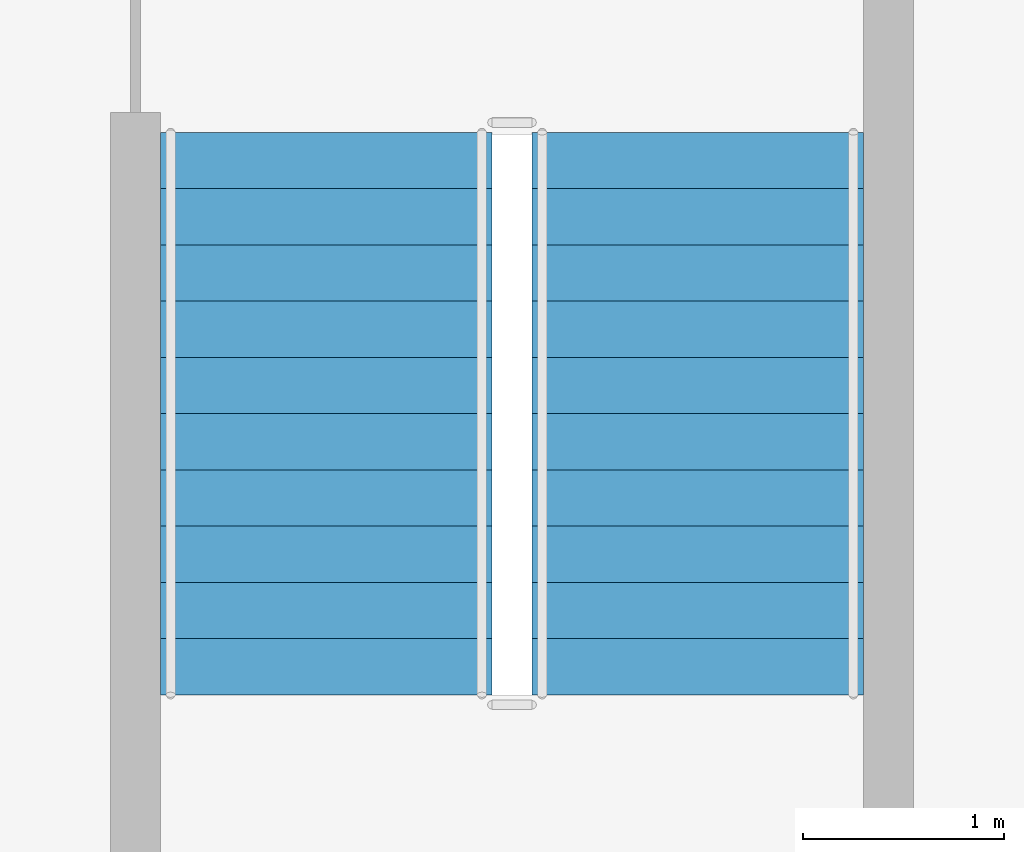
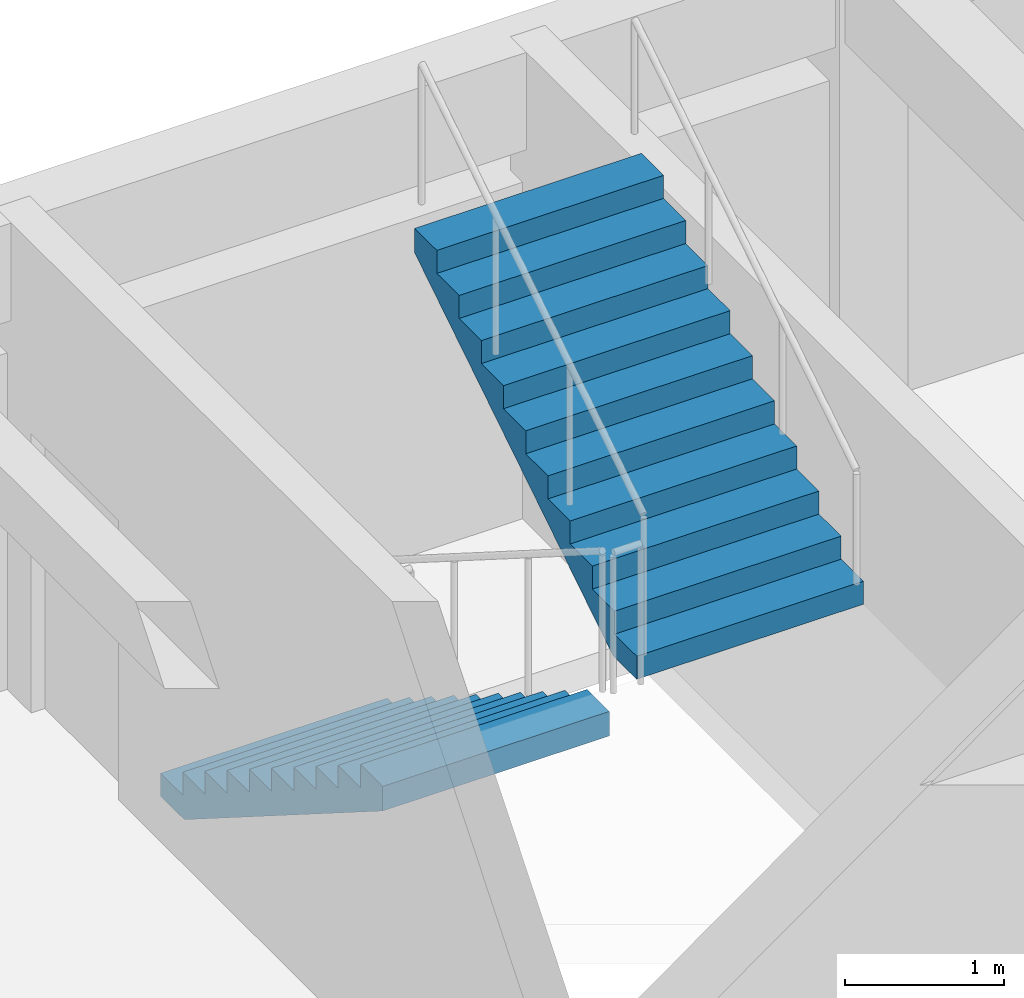
# One storey, part 67 of 82: 2 stair flights, 1 element without a shape of its own.
"""IFC4 building model written with IfcOpenShell, lengths in metres."""

from ifc_helpers import new_model, si_unit, direction, frame, origin, place, context, subcontext, project, spatial, polyline, outline, extrude, material, type_object, element, aggregate, save


model = new_model("IFC4")

# Units and contexts
model_context = context("Model", 3, precision=1e-05, world=origin(), true_north=direction((0.0, 1.0)))
body_context = subcontext(model_context, "Body", "Model", "MODEL_VIEW")
ifc_project = project(units=[si_unit("LENGTHUNIT", "METRE"), si_unit("AREAUNIT", "SQUARE_METRE"), si_unit("VOLUMEUNIT", "CUBIC_METRE"), si_unit("PLANEANGLEUNIT", "RADIAN"), si_unit("MASSUNIT", "GRAM", prefix="KILO")], contexts=[model_context])

# Site, building, storey
site_placement = place(None, origin())
site = spatial("IfcSite", under=ifc_project, at=site_placement, CompositionType="ELEMENT")
building_placement = place(site_placement, origin())
building = spatial("IfcBuilding", under=site, at=building_placement, Name="Qasida Concert Hall", CompositionType="ELEMENT")
storey_placement = place(building_placement, frame((0.0, 0.0, 17.10009765625)))
storey = spatial("IfcBuildingStorey", under=building, at=storey_placement, Name="L04", CompositionType="ELEMENT", Elevation=17.10009765625)

# Stair, stair flights
ifc_material = material(Name="Concrete C40/50", Category="concrete")
stair_type = type_object("IfcStairType", Name="ST-DL-165", PredefinedType="HALF_TURN_STAIR", material=ifc_material)
stair_placement = place(storey_placement, origin())
stair = element("IfcStair", 1, at=stair_placement, inside=storey, type_object=stair_type, Name="L04 Exit stair ST-06", PredefinedType="HALF_TURN_STAIR")
stair_flight_type = type_object("IfcStairFlightType", Name="SF-DL-165", PredefinedType="STRAIGHT", material=ifc_material)
stair_flight_1_placement = place(storey_placement, frame((17.324951171875, 110.85009765625, 0.0), z_axis=(0.0, 0.0, 1.0), x_axis=(0.0, -1.0, 0.0)))
stair_flight_1 = element("IfcStairFlight", 2, at=stair_flight_1_placement, type_object=stair_flight_type, Name="ST-06 flight 1", NumberOfRisers=11, NumberOfTreads=10, PredefinedType="STRAIGHT", RiserHeight=0.177272727, TreadLength=0.28, context=body_context, shape_type="SweptSolid", body=[
    extrude(outline(polyline([(0.0, 0.0), (0.0, 0.17724609375), (0.280029296875, 0.17724609375), (0.280029296875, 0.3544921875), (0.56005859375, 0.3544921875), (0.56005859375, 0.53173828125), (0.840087890625, 0.53173828125), (0.840087890625, 0.708984375), (1.1201171875, 0.708984375), (1.1201171875, 0.886474609375), (1.39990234375, 0.886474609375), (1.39990234375, 1.063720703125), (1.679931640625, 1.063720703125), (1.679931640625, 1.240966796875), (1.9599609375, 1.240966796875), (1.9599609375, 1.418212890625), (2.239990234375, 1.418212890625), (2.239990234375, 1.595458984375), (2.52001953125, 1.595458984375), (2.52001953125, 1.772705078125), (2.800048828125, 1.772705078125), (2.800048828125, 1.949951171875), (2.800048828125, 1.58349609375), (0.298828125, 0.0), (0.0, 0.0)])), frame((0.0, 0.824951171875, 0.0), z_axis=(0.0, -1.0, 0.0), x_axis=(1.0, 0.0, 0.0)), (0.0, 0.0, 1.0), 1.64990234375),
])
stair_flight_2_placement = place(storey_placement, frame((19.175048828125, 108.050048828125, 1.949951171875), z_axis=(0.0, 0.0, 1.0), x_axis=(0.0, 1.0, 0.0)))
stair_flight_2 = element("IfcStairFlight", 3, at=stair_flight_2_placement, type_object=stair_flight_type, Name="ST-06 flight 2", NumberOfRisers=11, NumberOfTreads=10, PredefinedType="STRAIGHT", RiserHeight=0.177272727, TreadLength=0.28, context=body_context, shape_type="SweptSolid", body=[
    extrude(outline(polyline([(0.0, 0.0), (0.0, 0.17724609375), (0.280029296875, 0.17724609375), (0.280029296875, 0.3544921875), (0.56005859375, 0.3544921875), (0.56005859375, 0.53173828125), (0.840087890625, 0.53173828125), (0.840087890625, 0.708984375), (1.1201171875, 0.708984375), (1.1201171875, 0.886474609375), (1.39990234375, 0.886474609375), (1.39990234375, 1.063720703125), (1.679931640625, 1.063720703125), (1.679931640625, 1.240966796875), (1.9599609375, 1.240966796875), (1.9599609375, 1.418212890625), (2.239990234375, 1.418212890625), (2.239990234375, 1.595458984375), (2.52001953125, 1.595458984375), (2.52001953125, 1.772705078125), (2.800048828125, 1.772705078125), (2.800048828125, 1.949951171875), (2.800048828125, 1.58349609375), (0.298828125, 0.0), (0.0, 0.0)])), frame((0.0, 0.824951171875, 0.0), z_axis=(0.0, -1.0, 0.0), x_axis=(1.0, 0.0, 0.0)), (0.0, 0.0, 1.0), 1.64990234375),
])
aggregate(stair, [stair_flight_1, stair_flight_2])

save(model, "model.ifc")
